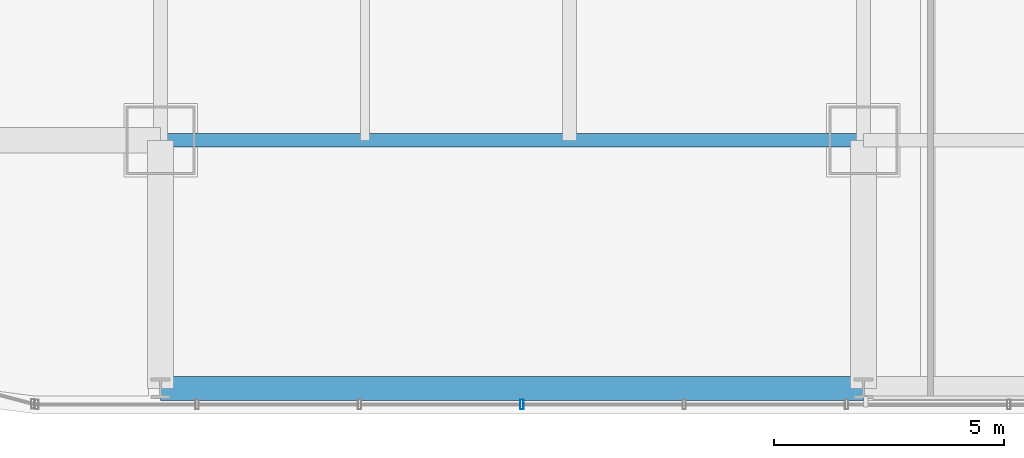
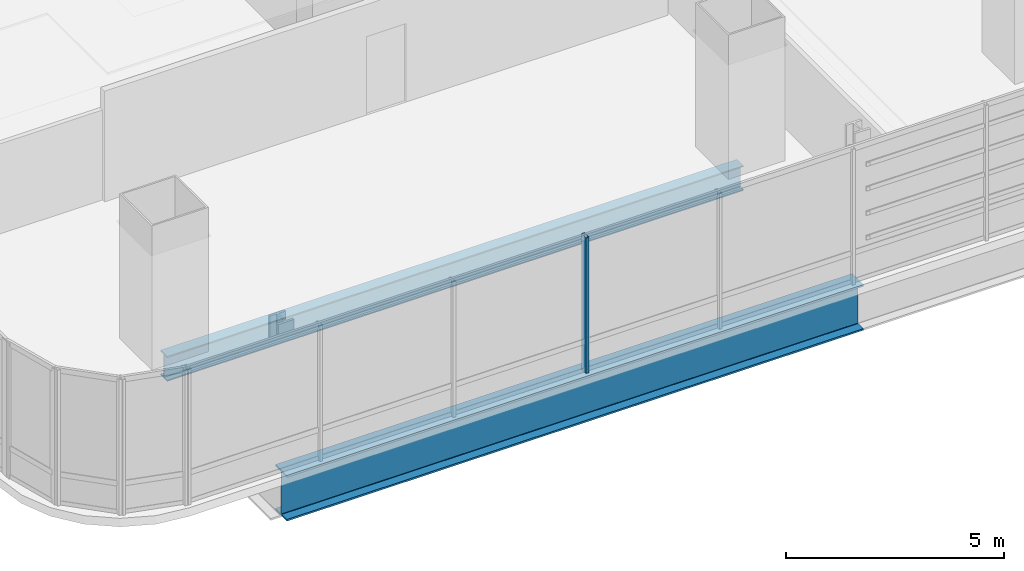
# One storey, part 3 of 36: 2 beams, 1 member, 1 element without a shape of its own.
"""IFC4 building model written with IfcOpenShell, lengths in metres."""

from ifc_helpers import new_model, si_unit, direction, frame, origin, origin_2d, place, context, subcontext, project, spatial, hollow_rectangle, i_section, extrude, material, material_profile, profile_set, type_object, element, aggregate, save


model = new_model("IFC4")

# Units and contexts
model_context = context("Model", 3, precision=1e-05, world=origin(), true_north=direction((0.0, 1.0)))
body_context = subcontext(model_context, "Body", "Model", "MODEL_VIEW")
ifc_project = project(units=[si_unit("LENGTHUNIT", "METRE"), si_unit("AREAUNIT", "SQUARE_METRE"), si_unit("VOLUMEUNIT", "CUBIC_METRE"), si_unit("PLANEANGLEUNIT", "RADIAN"), si_unit("MASSUNIT", "GRAM", prefix="KILO")], contexts=[model_context])

# Site, building, storey
site_placement = place(None, origin())
site = spatial("IfcSite", under=ifc_project, at=site_placement, CompositionType="ELEMENT")
building_placement = place(site_placement, origin())
building = spatial("IfcBuilding", under=site, at=building_placement, Name="Punatoya Terracotta Tower", CompositionType="ELEMENT")
storey_placement = place(building_placement, frame((0.0, 0.0, 40.35009765625)))
storey = spatial("IfcBuildingStorey", under=building, at=storey_placement, Name="L08", CompositionType="ELEMENT", Elevation=40.35009765625)

# Beams
ifc_material_1 = material(Name="Steel S355", Category="steel")
ifc_material_profile_1 = material_profile(ifc_material_1, i_section(OverallWidth=0.300048828125, OverallDepth=0.699951171875, WebThickness=0.01708984375, FlangeThickness=0.031982421875, FilletRadius=0.01806640625, at=origin_2d()))
ifc_profile_set_1 = profile_set([ifc_material_profile_1], Name="Steel S355")
beam_type_1 = type_object("IfcBeamType", Name="BM-PRI-700", PredefinedType="BEAM", material=ifc_profile_set_1)
beam_1_placement = place(storey_placement, frame((-19.10009765625, -17.5, -0.590087890625), z_axis=(1.0, 0.0, 0.0), x_axis=(0.0, 1.0, 0.0)))
element("IfcBeam", 1, at=beam_1_placement, inside=storey, type_object=beam_type_1, Name="BM-L08-RG-S1", PredefinedType="BEAM", context=body_context, shape_type="SweptSolid", body=[
    extrude(i_section(OverallWidth=0.300048828125, OverallDepth=0.699951171875, WebThickness=0.01708984375, FlangeThickness=0.031982421875, FilletRadius=0.01806640625, at=origin_2d()), origin(), (0.0, 0.0, 1.0), 15.300048828125),
])
ifc_material_2 = material(Name="Steel S460", Category="steel")
ifc_material_profile_2 = material_profile(ifc_material_2, i_section(OverallWidth=0.52001953125, OverallDepth=1.280029296875, WebThickness=0.031982421875, FlangeThickness=0.050048828125, FilletRadius=0.01806640625, at=origin_2d()))
ifc_profile_set_2 = profile_set([ifc_material_profile_2], Name="Steel S460")
beam_type_2 = type_object("IfcBeamType", Name="BM-TG-NCK", PredefinedType="BEAM", material=ifc_profile_set_2)
beam_2_placement = place(storey_placement, frame((-19.10009765625, -22.89990234375, -0.880126953125), z_axis=(1.0, 0.0, 0.0), x_axis=(0.0, 1.0, 0.0)))
element("IfcBeam", 2, at=beam_2_placement, inside=storey, type_object=beam_type_2, Name="BM-L08-PER-S1", PredefinedType="BEAM", context=body_context, shape_type="SweptSolid", body=[
    extrude(i_section(OverallWidth=0.52001953125, OverallDepth=1.280029296875, WebThickness=0.031982421875, FlangeThickness=0.050048828125, FilletRadius=0.01806640625, at=origin_2d()), origin(), (0.0, 0.0, 1.0), 15.300048828125),
])

# Curtain wall, member
ifc_material_3 = material(Name="Aluminium 6063-T6 + Double Low-E Glass", Category="aluminium")
curtain_wall_type = type_object("IfcCurtainWallType", Name="CW-M1", PredefinedType="NOTDEFINED", material=ifc_material_3)
curtain_wall_placement = place(storey_placement, origin())
curtain_wall = element("IfcCurtainWall", 3, at=curtain_wall_placement, inside=storey, type_object=curtain_wall_type, Name="L08 Curtain Wall CW-L08-S01-1", PredefinedType="NOTDEFINED")
ifc_material_4 = material(Name="Aluminium 6063-T6", Category="aluminium")
ifc_material_profile_3 = material_profile(ifc_material_4, hollow_rectangle(XDim=0.074951171875, YDim=0.2099609375, WallThickness=0.00439453125, at=origin_2d()))
ifc_profile_set_3 = profile_set([ifc_material_profile_3], Name="Aluminium 6063-T6")
member_type = type_object("IfcMemberType", Name="CW-MUL-M1", PredefinedType="MULLION", material=ifc_profile_set_3)
member_placement = place(storey_placement, frame((-11.235107421875, -23.25, 0.0), z_axis=(0.0, 0.0, 1.0), x_axis=(1.0, 0.0, 0.0)))
member = element("IfcMember", 4, at=member_placement, type_object=member_type, Name="CW-L08-S01-1 Mullion 03", PredefinedType="MULLION", context=body_context, shape_type="SweptSolid", body=[
    extrude(hollow_rectangle(XDim=0.074951171875, YDim=0.2099609375, WallThickness=0.00439453125, at=origin_2d()), origin(), (0.0, 0.0, 1.0), 3.809814453125),
])
aggregate(curtain_wall, [member])

save(model, "model.ifc")
